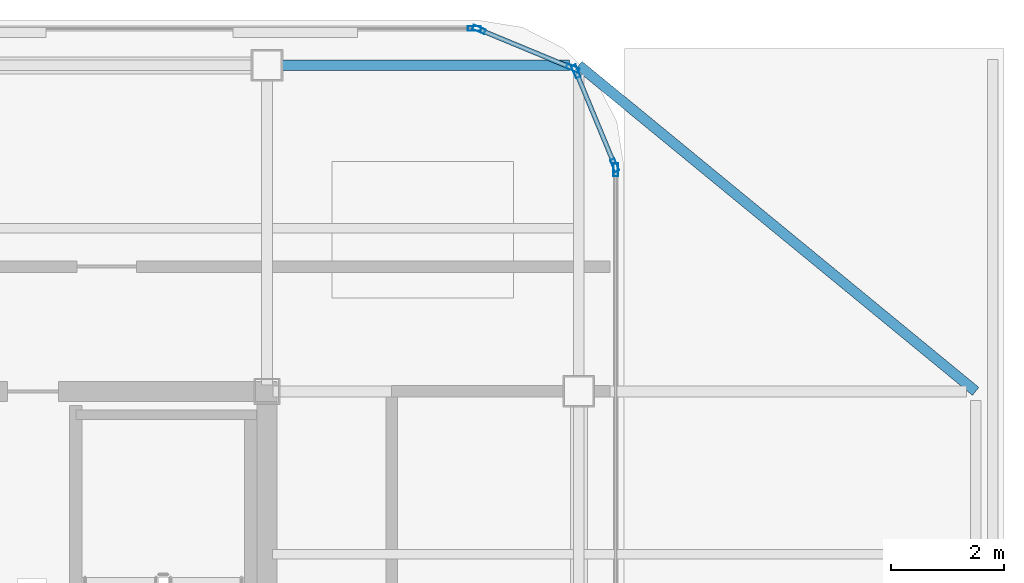
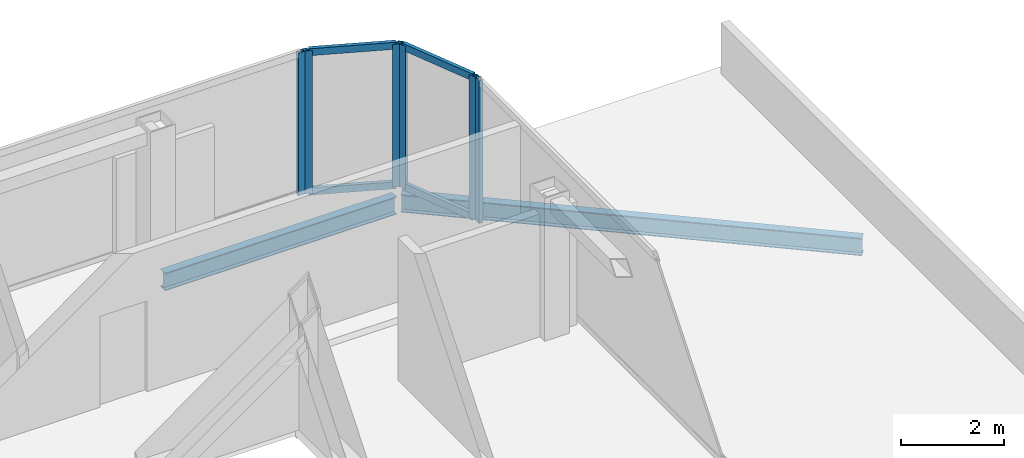
# One storey, part 8 of 11: 10 members, 2 beams, 4 elements without a shape of their own.
"""IFC4 building model written with IfcOpenShell, lengths in metres."""

from ifc_helpers import new_model, si_unit, direction, frame, origin, origin_2d, place, context, subcontext, project, spatial, hollow_rectangle, i_section, extrude, source, transform, mapped, material, layer, layer_set, material_profile, profile_set, type_object, element, aggregate, save


model = new_model("IFC4")

# Units and contexts
model_context = context("Model", 3, precision=1e-05, world=origin(), true_north=direction((0.0, 1.0)))
body_context = subcontext(model_context, "Body", "Model", "MODEL_VIEW")
ifc_project = project(units=[si_unit("LENGTHUNIT", "METRE"), si_unit("AREAUNIT", "SQUARE_METRE"), si_unit("VOLUMEUNIT", "CUBIC_METRE"), si_unit("PLANEANGLEUNIT", "RADIAN"), si_unit("MASSUNIT", "GRAM", prefix="KILO")], contexts=[model_context])

# Site, building, storey
site_placement = place(None, origin())
site = spatial("IfcSite", under=ifc_project, at=site_placement, CompositionType="ELEMENT")
building_placement = place(site_placement, origin())
building = spatial("IfcBuilding", under=site, at=building_placement, Name="Kolveth Station Tower", CompositionType="ELEMENT")
storey_placement = place(building_placement, frame((0.0, 0.0, 285.699951171875)))
storey = spatial("IfcBuildingStorey", under=building, at=storey_placement, Name="L82", CompositionType="ELEMENT", Elevation=285.699951171875)

# Beams
ifc_material_1 = material(Name="Steel S355", Category="steel")
ifc_material_profile_1 = material_profile(ifc_material_1, i_section(OverallWidth=0.180908203125, OverallDepth=0.4169921875, WebThickness=0.010986328125, FlangeThickness=0.018310546875, at=origin_2d()), Name="W410x85")
ifc_profile_set_1 = profile_set([ifc_material_profile_1], Name="Steel S355")
beam_type = type_object("IfcBeamType", Name="Beam_B8", PredefinedType="BEAM", material=ifc_profile_set_1)
shared_shape_1 = source(origin(), body_context, "Body", "SweptSolid", [
    extrude(i_section(OverallWidth=0.180908203125, OverallDepth=0.4169921875, WebThickness=0.010986328125, FlangeThickness=0.018310546875, at=origin_2d()), origin(), (0.0, 0.0, 1.0), 5.18017578125),
])
beam_1_placement = place(storey_placement, frame((28.659912109375, 34.5, -0.428466796875), z_axis=(1.0, 0.0, 0.0), x_axis=(0.0, 1.0, 0.0)))
element("IfcBeam", 1, at=beam_1_placement, inside=storey, type_object=beam_type, Name="L82 Perimeter Spandrel BM-L82-PN-2", PredefinedType="BEAM", context=body_context, shape_type="MappedRepresentation", body=[
    mapped(shared_shape_1, transform((0.0, 0.0, 0.0), x_axis=(1.0, 0.0, 0.0), y_axis=(0.0, 1.0, 0.0), z_axis=(0.0, 0.0, 1.0), scale=1.0)),
])
shared_shape_2 = source(origin(), body_context, "Body", "SweptSolid", [
    extrude(i_section(OverallWidth=0.180908203125, OverallDepth=0.4169921875, WebThickness=0.010986328125, FlangeThickness=0.018310546875, at=origin_2d()), origin(), (0.0, 0.0, 1.0), 9.058837890625),
])
beam_2_placement = place(storey_placement, frame((41.0, 28.75, -0.428466796875), z_axis=(-0.772726254525, 0.63473942336, 0.0), x_axis=(-0.63473942336, -0.772726254525, 0.0)))
element("IfcBeam", 2, at=beam_2_placement, inside=storey, type_object=beam_type, Name="L82 Corner Edge Girder BM-L82-CNR-NE", PredefinedType="BEAM", context=body_context, shape_type="MappedRepresentation", body=[
    mapped(shared_shape_2, transform((0.0, 0.0, 0.0), x_axis=(1.0, 0.0, 0.0), y_axis=(0.0, 1.0, 0.0), z_axis=(0.0, 0.0, 1.0), scale=1.0)),
])

# Curtain wall, member
ifc_material_2 = material(Name="Black anodized aluminium 6063-T6 and dark crown glass", Category="aluminium")
ifc_layer = layer(ifc_material_2, 0.169921875)
ifc_layer_set = layer_set([ifc_layer], Name="Black anodized aluminium 6063-T6 and dark crown glass")
curtain_wall_type = type_object("IfcCurtainWallType", Name="CurtainWall_CW-CR", PredefinedType="NOTDEFINED", material=ifc_layer_set)
curtain_wall_1_placement = place(storey_placement, origin())
curtain_wall_1 = element("IfcCurtainWall", 3, at=curtain_wall_1_placement, inside=storey, type_object=curtain_wall_type, Name="L82 Stepped Crown Curtain Wall 3", PredefinedType="NOTDEFINED")
ifc_material_3 = material(Name="Black anodized aluminium 6063-T6", Category="aluminium")
ifc_material_profile_2 = material_profile(ifc_material_3, hollow_rectangle(XDim=0.0849609375, YDim=0.22998046875, WallThickness=0.0048828125, at=origin_2d()), Name="ALU-85x230x5")
ifc_profile_set_2 = profile_set([ifc_material_profile_2], Name="Black anodized aluminium 6063-T6")
member_type_1 = type_object("IfcMemberType", Name="Mullion_ML-CR", PredefinedType="MULLION", material=ifc_profile_set_2)
shared_shape_3 = source(origin(), body_context, "Body", "SweptSolid", [
    extrude(hollow_rectangle(XDim=0.0849609375, YDim=0.22998046875, WallThickness=0.0048828125, at=origin_2d()), origin(), (0.0, 0.0, 1.0), 3.380126953125),
])
member_1_placement = place(storey_placement, frame((34.64990234375, 32.657470703125, 0.0), z_axis=(0.0, 0.0, 1.0), x_axis=(-1.0, 0.0, 0.0)))
member_1 = element("IfcMember", 4, at=member_1_placement, type_object=member_type_1, Name="CW-CR mullion 2", PredefinedType="MULLION", context=body_context, shape_type="MappedRepresentation", body=[
    mapped(shared_shape_3, transform((0.0, 0.0, 0.0), x_axis=(1.0, 0.0, 0.0), y_axis=(0.0, 1.0, 0.0), z_axis=(0.0, 0.0, 1.0), scale=1.0)),
])
aggregate(curtain_wall_1, [member_1])

# Curtain wall, members
curtain_wall_2_placement = place(storey_placement, origin())
curtain_wall_2 = element("IfcCurtainWall", 5, at=curtain_wall_2_placement, inside=storey, type_object=curtain_wall_type, Name="L82 Stepped Crown Curtain Wall 4", PredefinedType="NOTDEFINED")
member_2_placement = place(storey_placement, frame((34.6337890625, 32.7392578125, 0.0), z_axis=(0.0, 0.0, 1.0), x_axis=(-0.923876435676, -0.382690908701, 0.0)))
member_2 = element("IfcMember", 6, at=member_2_placement, type_object=member_type_1, Name="CW-CR mullion 1", PredefinedType="MULLION", context=body_context, shape_type="MappedRepresentation", body=[
    mapped(shared_shape_3, transform((0.0, 0.0, 0.0), x_axis=(1.0, 0.0, 0.0), y_axis=(0.0, 1.0, 0.0), z_axis=(0.0, 0.0, 1.0), scale=1.0)),
])
member_3_placement = place(storey_placement, frame((33.94873046875, 34.39306640625, 0.0), z_axis=(0.0, 0.0, 1.0), x_axis=(-0.923876435676, -0.382690908701, 0.0)))
member_3 = element("IfcMember", 7, at=member_3_placement, type_object=member_type_1, Name="CW-CR mullion 2", PredefinedType="MULLION", context=body_context, shape_type="MappedRepresentation", body=[
    mapped(shared_shape_3, transform((0.0, 0.0, 0.0), x_axis=(1.0, 0.0, 0.0), y_axis=(0.0, 1.0, 0.0), z_axis=(0.0, 0.0, 1.0), scale=1.0)),
])

curtain_wall_3_placement = place(storey_placement, origin())
curtain_wall_3 = element("IfcCurtainWall", 8, at=curtain_wall_3_placement, inside=storey, type_object=curtain_wall_type, Name="L82 Stepped Crown Curtain Wall 5", PredefinedType="NOTDEFINED")
member_4_placement = place(storey_placement, frame((33.89306640625, 34.44873046875, 0.0), z_axis=(0.0, 0.0, 1.0), x_axis=(-0.382690908701, -0.923876435676, 0.0)))
member_4 = element("IfcMember", 9, at=member_4_placement, type_object=member_type_1, Name="CW-CR mullion 1", PredefinedType="MULLION", context=body_context, shape_type="MappedRepresentation", body=[
    mapped(shared_shape_3, transform((0.0, 0.0, 0.0), x_axis=(1.0, 0.0, 0.0), y_axis=(0.0, 1.0, 0.0), z_axis=(0.0, 0.0, 1.0), scale=1.0)),
])
member_5_placement = place(storey_placement, frame((32.2392578125, 35.1337890625, 0.0), z_axis=(0.0, 0.0, 1.0), x_axis=(-0.382690908701, -0.923876435676, 0.0)))
member_5 = element("IfcMember", 10, at=member_5_placement, type_object=member_type_1, Name="CW-CR mullion 2", PredefinedType="MULLION", context=body_context, shape_type="MappedRepresentation", body=[
    mapped(shared_shape_3, transform((0.0, 0.0, 0.0), x_axis=(1.0, 0.0, 0.0), y_axis=(0.0, 1.0, 0.0), z_axis=(0.0, 0.0, 1.0), scale=1.0)),
])

# Curtain wall, member
curtain_wall_4_placement = place(storey_placement, origin())
curtain_wall_4 = element("IfcCurtainWall", 11, at=curtain_wall_4_placement, inside=storey, type_object=curtain_wall_type, Name="L82 Stepped Crown Curtain Wall 6", PredefinedType="NOTDEFINED")
member_6_placement = place(storey_placement, frame((32.157470703125, 35.14990234375, 0.0), z_axis=(0.0, 0.0, 1.0), x_axis=(0.0, -1.0, 0.0)))
member_6 = element("IfcMember", 12, at=member_6_placement, type_object=member_type_1, Name="CW-CR mullion 1", PredefinedType="MULLION", context=body_context, shape_type="MappedRepresentation", body=[
    mapped(shared_shape_3, transform((0.0, 0.0, 0.0), x_axis=(1.0, 0.0, 0.0), y_axis=(0.0, 1.0, 0.0), z_axis=(0.0, 0.0, 1.0), scale=1.0)),
])
aggregate(curtain_wall_4, [member_6])

# Member
ifc_material_profile_3 = material_profile(ifc_material_3, hollow_rectangle(XDim=0.080078125, YDim=0.1650390625, WallThickness=0.0048828125, at=origin_2d()), Name="ALU-80x165x5")
ifc_profile_set_3 = profile_set([ifc_material_profile_3], Name="Black anodized aluminium 6063-T6")
member_type_2 = type_object("IfcMemberType", Name="Transom_TR-CR", PredefinedType="USERDEFINED", material=ifc_profile_set_3)
shared_shape_4 = source(origin(), body_context, "Body", "SweptSolid", [
    extrude(hollow_rectangle(XDim=0.080078125, YDim=0.1650390625, WallThickness=0.0048828125, at=origin_2d()), origin(), (0.0, 0.0, 1.0), 1.705078125),
])
member_7_placement = place(storey_placement, frame((34.617431640625, 32.778564453125, 0.0400390625), z_axis=(-0.38274381958, 0.923854516996, 0.0), x_axis=(-0.923854516996, -0.38274381958, 0.0)))
member_7 = element("IfcMember", 13, at=member_7_placement, type_object=member_type_2, Name="CW-CR transom 1.1", ObjectType="TRANSOM", PredefinedType="USERDEFINED", context=body_context, shape_type="MappedRepresentation", body=[
    mapped(shared_shape_4, transform((0.0, 0.0, 0.0), x_axis=(1.0, 0.0, 0.0), y_axis=(0.0, 1.0, 0.0), z_axis=(0.0, 0.0, 1.0), scale=1.0)),
])

member_8_placement = place(storey_placement, frame((34.617431640625, 32.778564453125, 3.340087890625), z_axis=(-0.38274381958, 0.923854516996, 0.0), x_axis=(-0.923854516996, -0.38274381958, 0.0)))
member_8 = element("IfcMember", 14, at=member_8_placement, type_object=member_type_2, Name="CW-CR transom 1.2", ObjectType="TRANSOM", PredefinedType="USERDEFINED", context=body_context, shape_type="MappedRepresentation", body=[
    mapped(shared_shape_4, transform((0.0, 0.0, 0.0), x_axis=(1.0, 0.0, 0.0), y_axis=(0.0, 1.0, 0.0), z_axis=(0.0, 0.0, 1.0), scale=1.0)),
])

aggregate(curtain_wall_2, [member_2, member_3, member_7, member_8])

member_9_placement = place(storey_placement, frame((33.853759765625, 34.46484375, 0.0400390625), z_axis=(-0.923854516996, 0.38274381958, 0.0), x_axis=(-0.38274381958, -0.923854516996, 0.0)))
member_9 = element("IfcMember", 15, at=member_9_placement, type_object=member_type_2, Name="CW-CR transom 1.1", ObjectType="TRANSOM", PredefinedType="USERDEFINED", context=body_context, shape_type="MappedRepresentation", body=[
    mapped(shared_shape_4, transform((0.0, 0.0, 0.0), x_axis=(1.0, 0.0, 0.0), y_axis=(0.0, 1.0, 0.0), z_axis=(0.0, 0.0, 1.0), scale=1.0)),
])

member_10_placement = place(storey_placement, frame((33.853759765625, 34.46484375, 3.340087890625), z_axis=(-0.923854516996, 0.38274381958, 0.0), x_axis=(-0.38274381958, -0.923854516996, 0.0)))
member_10 = element("IfcMember", 16, at=member_10_placement, type_object=member_type_2, Name="CW-CR transom 1.2", ObjectType="TRANSOM", PredefinedType="USERDEFINED", context=body_context, shape_type="MappedRepresentation", body=[
    mapped(shared_shape_4, transform((0.0, 0.0, 0.0), x_axis=(1.0, 0.0, 0.0), y_axis=(0.0, 1.0, 0.0), z_axis=(0.0, 0.0, 1.0), scale=1.0)),
])

aggregate(curtain_wall_3, [member_4, member_5, member_9, member_10])

save(model, "model.ifc")
